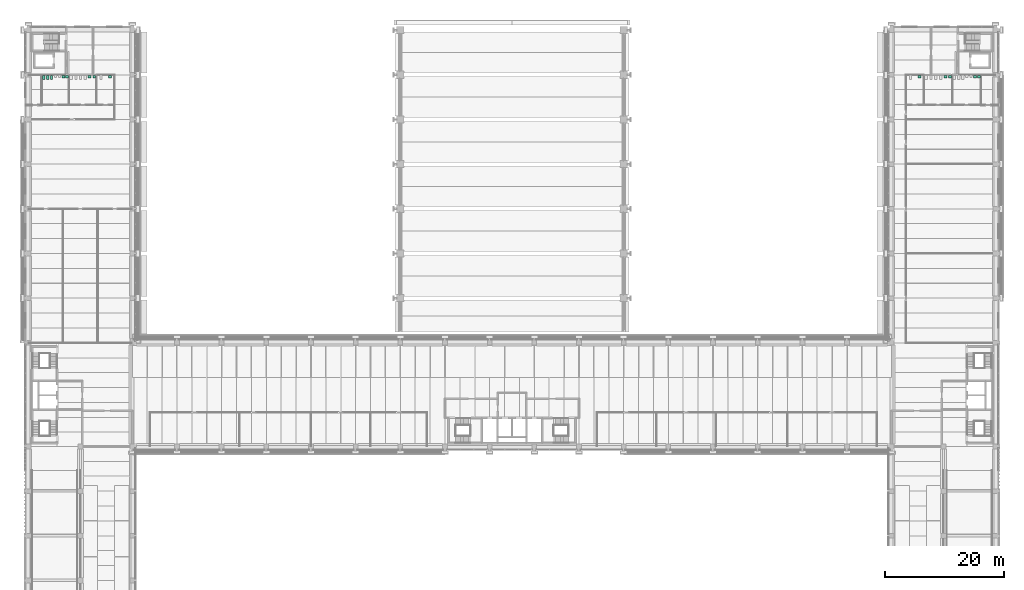
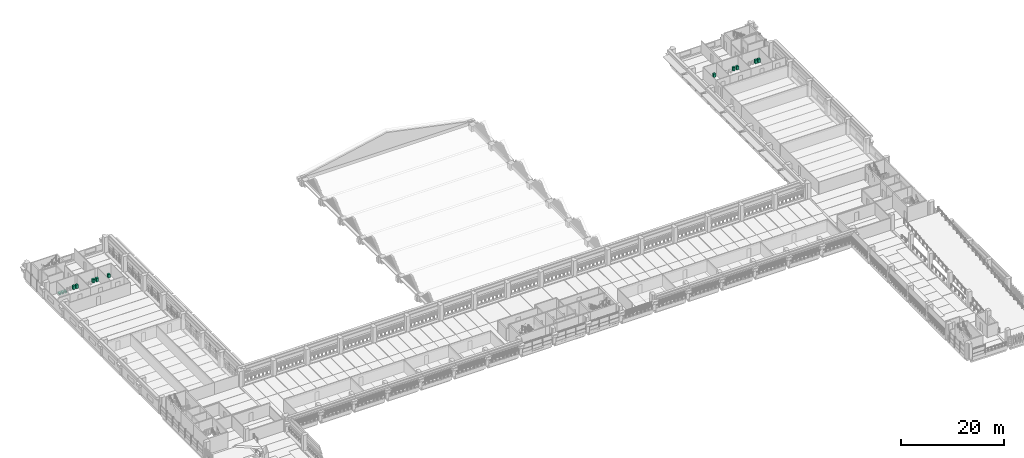
# One storey, part 69 of 71: 13 sanitary terminals.
"""IFC4 building model written with IfcOpenShell, lengths in metres."""

from ifc_helpers import new_model, si_unit, direction, frame, origin, origin_2d, place, context, subcontext, project, spatial, rectangle, extrude, material, type_object, element, save


model = new_model("IFC4")

# Units and contexts
model_context = context("Model", 3, precision=1e-05, world=origin(), true_north=direction((0.0, 1.0)))
body_context = subcontext(model_context, "Body", "Model", "MODEL_VIEW")
ifc_project = project(units=[si_unit("LENGTHUNIT", "METRE"), si_unit("AREAUNIT", "SQUARE_METRE"), si_unit("VOLUMEUNIT", "CUBIC_METRE"), si_unit("PLANEANGLEUNIT", "RADIAN"), si_unit("MASSUNIT", "GRAM", prefix="KILO")], contexts=[model_context])

# Site, building, storey
site_placement = place(None, origin())
site = spatial("IfcSite", under=ifc_project, at=site_placement, CompositionType="ELEMENT")
building_placement = place(site_placement, origin())
building = spatial("IfcBuilding", under=site, at=building_placement, Name="Cour d'Honneur Mobility Palace", CompositionType="ELEMENT")
storey_placement = place(building_placement, frame((0.0, 0.0, 15.60009765625)))
storey = spatial("IfcBuildingStorey", under=building, at=storey_placement, Name="L04", CompositionType="ELEMENT", Elevation=15.60009765625)

# Sanitary terminals
ifc_material_1 = material(Name="Vitreous china")
sanitary_terminal_type_1 = type_object("IfcSanitaryTerminalType", Name="Wash basin", PredefinedType="WASHHANDBASIN", material=ifc_material_1)
for number, where, z_axis, x_axis, name in (
    (1, (5.814208984375, 107.054931640625, -0.000244140625), (0.0, 0.0, 1.0), (1.0, 0.0, 0.0), "Wash basin WC Men West"),
    (2, (6.471435546875, 107.054931640625, -0.000244140625), (0.0, 0.0, 1.0), (1.0, 0.0, 0.0), "Wash basin WC Men West"),
    (3, (10.25, 107.054931640625, -0.000244140625), (0.0, 0.0, 1.0), (1.0, 0.0, 0.0), "Wash basin WC Women West"),
    (4, (11.0166015625, 107.054931640625, -0.000244140625), (0.0, 0.0, 1.0), (1.0, 0.0, 0.0), "Wash basin WC Women West"),
    (5, (13.64990234375, 107.054931640625, -0.000244140625), (0.0, 0.0, 1.0), (1.0, 0.0, 0.0), "Wash basin Accessible WC West"),
    (6, (158.871337890625, 107.054931640625, -0.000244140625), (0.0, 0.0, 1.0), (1.0, 0.0, 0.0), "Wash basin WC Men East"),
    (7, (159.55712890625, 107.054931640625, -0.000244140625), (0.0, 0.0, 1.0), (1.0, 0.0, 0.0), "Wash basin WC Men East"),
    (8, (153.89990234375, 107.054931640625, -0.000244140625), (0.0, 0.0, 1.0), (1.0, 0.0, 0.0), "Wash basin WC Women East"),
    (9, (154.699951171875, 107.054931640625, -0.000244140625), (0.0, 0.0, 1.0), (1.0, 0.0, 0.0), "Wash basin WC Women East"),
    (10, (149.550048828125, 107.054931640625, -0.000244140625), (0.0, 0.0, 1.0), (1.0, 0.0, 0.0), "Wash basin Accessible WC East"),
):
    element("IfcSanitaryTerminal", number, at=place(storey_placement, frame(where, z_axis=z_axis, x_axis=x_axis)), inside=storey, type_object=sanitary_terminal_type_1, Name=name, PredefinedType="WASHHANDBASIN", context=body_context, shape_type="SweptSolid", body=[
        extrude(rectangle(XDim=0.5, YDim=0.449951171875, at=origin_2d()), origin(), (0.0, 0.0, 1.0), 0.85009765625),
    ])
ifc_material_2 = material(Name="Vitreous china")
sanitary_terminal_type_2 = type_object("IfcSanitaryTerminalType", Name="Water closet", PredefinedType="WCSEAT", material=ifc_material_2)
for number, where, z_axis, x_axis, name in (
    (11, (2.528564453125, 106.929931640625, 0.0), (0.0, 0.0, 1.0), (1.0, 0.0, 0.0), "Water closet WC Men West"),
    (12, (3.185791015625, 106.929931640625, 0.0), (0.0, 0.0, 1.0), (1.0, 0.0, 0.0), "Water closet WC Men West"),
    (13, (3.843017578125, 106.929931640625, 0.0), (0.0, 0.0, 1.0), (1.0, 0.0, 0.0), "Water closet WC Men West"),
):
    element("IfcSanitaryTerminal", number, at=place(storey_placement, frame(where, z_axis=z_axis, x_axis=x_axis)), inside=storey, type_object=sanitary_terminal_type_2, Name=name, PredefinedType="WCSEAT", context=body_context, shape_type="SweptSolid", body=[
        extrude(rectangle(XDim=0.39990234375, YDim=0.699951171875, at=origin_2d()), origin(), (0.0, 0.0, 1.0), 0.39990234375),
    ])

save(model, "model.ifc")
